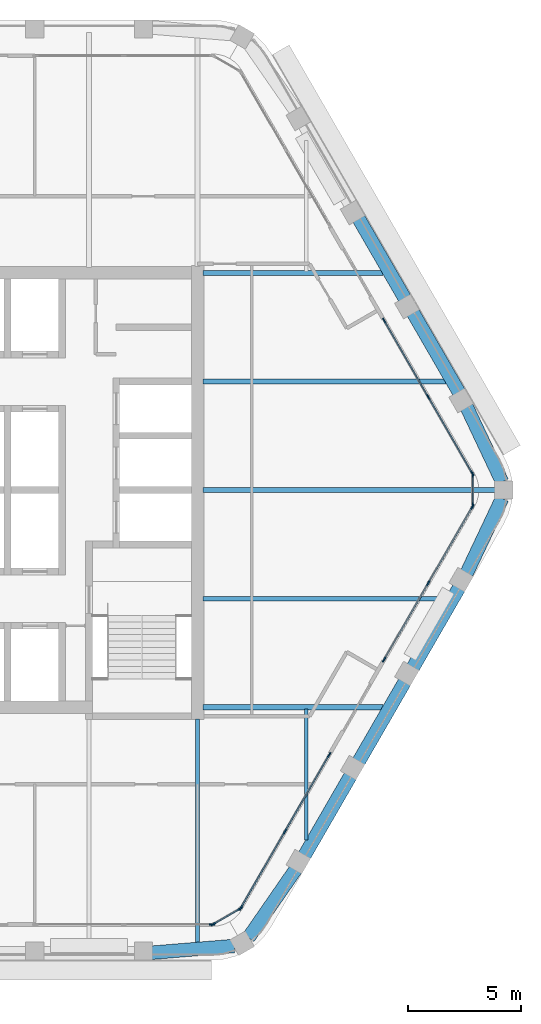
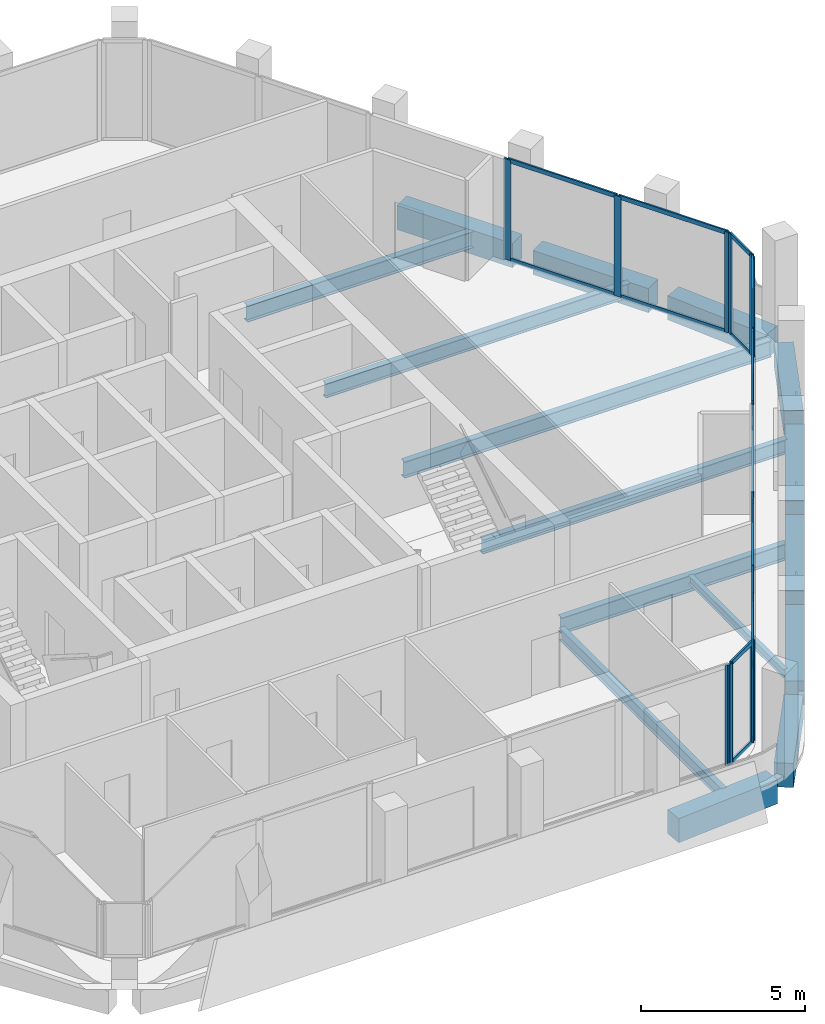
# One storey, part 4 of 13: 30 members, 16 beams, 6 elements without a shape of their own.
"""IFC4 building model written with IfcOpenShell, lengths in metres."""

from ifc_helpers import new_model, si_unit, direction, frame, origin, origin_2d, place, context, subcontext, project, spatial, rectangle, i_section, extrude, material, material_profile, profile_set, type_object, element, aggregate, save


model = new_model("IFC4")

# Units and contexts
model_context = context("Model", 3, precision=1e-05, world=origin(), true_north=direction((0.0, 1.0)))
body_context = subcontext(model_context, "Body", "Model", "MODEL_VIEW")
ifc_project = project(units=[si_unit("LENGTHUNIT", "METRE"), si_unit("AREAUNIT", "SQUARE_METRE"), si_unit("VOLUMEUNIT", "CUBIC_METRE"), si_unit("PLANEANGLEUNIT", "RADIAN"), si_unit("MASSUNIT", "GRAM", prefix="KILO")], contexts=[model_context])

# Site, building, storey
site_placement = place(None, origin())
site = spatial("IfcSite", under=ifc_project, at=site_placement, CompositionType="ELEMENT")
building_placement = place(site_placement, origin())
building = spatial("IfcBuilding", under=site, at=building_placement, Name="Kolab Exchange Tower", CompositionType="ELEMENT")
storey_placement = place(building_placement, frame((0.0, 0.0, 273.5)))
storey = spatial("IfcBuildingStorey", under=building, at=storey_placement, Name="L61", CompositionType="ELEMENT", Elevation=273.5)

# Beams
ifc_material_1 = material(Name="Steel S355", Category="steel")
ifc_material_profile_1 = material_profile(ifc_material_1, i_section(OverallWidth=0.1650390625, OverallDepth=0.31005859375, WebThickness=0.005859375, FlangeThickness=0.009765625, at=origin_2d()), Name="W310X39")
ifc_profile_set_1 = profile_set([ifc_material_profile_1], Name="Steel S355")
beam_type_1 = type_object("IfcBeamType", Name="FLOOR BEAM W310X39", PredefinedType="BEAM", material=ifc_profile_set_1)
beam_1_placement = place(storey_placement, frame((14.39990234375, -15.4677734375, -0.304931640625), z_axis=(0.0, 1.0, 0.0), x_axis=(-1.0, 0.0, 0.0)))
element("IfcBeam", 1, at=beam_1_placement, inside=storey, type_object=beam_type_1, Name="beam/L61/fr/018", PredefinedType="BEAM", context=body_context, shape_type="SweptSolid", body=[
    extrude(i_section(OverallWidth=0.1650390625, OverallDepth=0.31005859375, WebThickness=0.005859375, FlangeThickness=0.009765625, at=origin_2d()), origin(), (0.0, 0.0, 1.0), 5.793701171875),
])
ifc_material_profile_2 = material_profile(ifc_material_1, i_section(OverallWidth=0.18994140625, OverallDepth=0.45703125, WebThickness=0.009033203125, FlangeThickness=0.014404296875, at=origin_2d()), Name="W460X74")
ifc_profile_set_2 = profile_set([ifc_material_profile_2], Name="Steel S355")
beam_type_2 = type_object("IfcBeamType", Name="FLOOR BEAM W460X74", PredefinedType="BEAM", material=ifc_profile_set_2)
beam_2_placement = place(storey_placement, frame((9.60009765625, -20.027099609375, -0.37841796875), z_axis=(0.0, 1.0, 0.0), x_axis=(-1.0, 0.0, 0.0)))
element("IfcBeam", 2, at=beam_2_placement, inside=storey, type_object=beam_type_2, Name="beam/L61/fr/013", PredefinedType="BEAM", context=body_context, shape_type="SweptSolid", body=[
    extrude(i_section(OverallWidth=0.18994140625, OverallDepth=0.45703125, WebThickness=0.009033203125, FlangeThickness=0.014404296875, at=origin_2d()), origin(), (0.0, 0.0, 1.0), 9.9169921875),
])
ifc_material_profile_3 = material_profile(ifc_material_1, i_section(OverallWidth=0.208984375, OverallDepth=0.532958984375, WebThickness=0.01025390625, FlangeThickness=0.015625, at=origin_2d()), Name="W530X92")
ifc_profile_set_3 = profile_set([ifc_material_profile_3], Name="Steel S355")
beam_type_3 = type_object("IfcBeamType", Name="FLOOR BEAM W530X92", PredefinedType="BEAM", material=ifc_profile_set_3)
for number, where, z_axis, x_axis, name in (
    (3, (9.8349609375, -4.800048828125, -0.41650390625), (1.0, 0.0, 0.0), (0.0, 1.0, 0.0), "beam/L61/fr/015"),
    (4, (9.8349609375, 4.800048828125, -0.41650390625), (1.0, 0.0, 0.0), (0.0, 1.0, 0.0), "beam/L61/fr/017"),
):
    element("IfcBeam", number, at=place(storey_placement, frame(where, z_axis=z_axis, x_axis=x_axis)), inside=storey, type_object=beam_type_3, Name=name, PredefinedType="BEAM", context=body_context, shape_type="SweptSolid", body=[
        extrude(i_section(OverallWidth=0.208984375, OverallDepth=0.532958984375, WebThickness=0.01025390625, FlangeThickness=0.015625, at=origin_2d()), origin(), (0.0, 0.0, 1.0), 10.740966796875),
    ])
ifc_material_profile_4 = material_profile(ifc_material_1, i_section(OverallWidth=0.22802734375, OverallDepth=0.60791015625, WebThickness=0.01123046875, FlangeThickness=0.017333984375, at=origin_2d()), Name="W610X113")
ifc_profile_set_4 = profile_set([ifc_material_profile_4], Name="Steel S355")
beam_type_4 = type_object("IfcBeamType", Name="FLOOR BEAM W610X113", PredefinedType="BEAM", material=ifc_profile_set_4)
beam_3_placement = place(storey_placement, frame((9.8349609375, 0.0, -0.4541015625), z_axis=(1.0, 0.0, 0.0), x_axis=(0.0, 1.0, 0.0)))
element("IfcBeam", 5, at=beam_3_placement, inside=storey, type_object=beam_type_4, Name="beam/L61/fr/016", PredefinedType="BEAM", context=body_context, shape_type="SweptSolid", body=[
    extrude(i_section(OverallWidth=0.22802734375, OverallDepth=0.60791015625, WebThickness=0.01123046875, FlangeThickness=0.017333984375, at=origin_2d()), origin(), (0.0, 0.0, 1.0), 12.94091796875),
])
ifc_material_profile_5 = material_profile(ifc_material_1, i_section(OverallWidth=0.22802734375, OverallDepth=0.60791015625, WebThickness=0.01123046875, FlangeThickness=0.017333984375, at=origin_2d()), Name="W610X113")
ifc_profile_set_5 = profile_set([ifc_material_profile_5], Name="Steel S355")
beam_type_5 = type_object("IfcBeamType", Name="FLOOR GIRDER W610X113", PredefinedType="BEAM", material=ifc_profile_set_5)
for number, where, z_axis, x_axis, name in (
    (6, (9.8349609375, -9.60009765625, -0.4541015625), (1.0, 0.0, 0.0), (0.0, 1.0, 0.0), "beam/L61/gd/002"),
    (7, (9.8349609375, 9.60009765625, -0.4541015625), (1.0, 0.0, 0.0), (0.0, 1.0, 0.0), "beam/L61/gd/003"),
):
    element("IfcBeam", number, at=place(storey_placement, frame(where, z_axis=z_axis, x_axis=x_axis)), inside=storey, type_object=beam_type_5, Name=name, PredefinedType="BEAM", context=body_context, shape_type="SweptSolid", body=[
        extrude(i_section(OverallWidth=0.22802734375, OverallDepth=0.60791015625, WebThickness=0.01123046875, FlangeThickness=0.017333984375, at=origin_2d()), origin(), (0.0, 0.0, 1.0), 7.9697265625),
    ])
ifc_material_2 = material(Name="Concrete C50/60", Category="concrete")
ifc_material_profile_6 = material_profile(ifc_material_2, rectangle(XDim=0.60009765625, YDim=0.89990234375, at=origin_2d()), Name="RC600X900")
ifc_profile_set_6 = profile_set([ifc_material_profile_6], Name="Concrete C50/60")
beam_type_6 = type_object("IfcBeamType", Name="SPANDREL BEAM 600X900 C50/60", PredefinedType="BEAM", material=ifc_profile_set_6)
for number, where, z_axis, x_axis, name in (
    (8, (16.72021484375, 12.009033203125, -0.60009765625), (0.500000428765, -0.866025156237, 0.0), (0.866025156237, 0.500000428765, 0.0), "beam/L61/sp/F2-03"),
    (9, (19.1201171875, 7.85205078125, -0.60009765625), (0.500000428765, -0.866025156237, 0.0), (0.866025156237, 0.500000428765, 0.0), "beam/L61/sp/F2-04"),
):
    element("IfcBeam", number, at=place(storey_placement, frame(where, z_axis=z_axis, x_axis=x_axis)), inside=storey, type_object=beam_type_6, Name=name, PredefinedType="BEAM", context=body_context, shape_type="SweptSolid", body=[
        extrude(rectangle(XDim=0.60009765625, YDim=0.89990234375, at=origin_2d()), origin(), (0.0, 0.0, 1.0), 4.080078125),
    ])
for number, where, z_axis, x_axis, name in (
    (10, (21.49462890625, 3.68017578125, -0.60009765625), (0.427677251998, -0.903931506323, 0.0), (0.903931506323, 0.427677251998, 0.0), "beam/L61/sp/F2-05"),
    (11, (23.063720703125, -0.36376953125, -0.60009765625), (-0.427677251998, -0.903931506323, 0.0), (0.903931506323, -0.427677251998, 0.0), "beam/L61/sp/F3-01"),
):
    element("IfcBeam", number, at=place(storey_placement, frame(where, z_axis=z_axis, x_axis=x_axis)), inside=storey, type_object=beam_type_6, Name=name, PredefinedType="BEAM", context=body_context, shape_type="SweptSolid", body=[
        extrude(rectangle(XDim=0.60009765625, YDim=0.89990234375, at=origin_2d()), origin(), (0.0, 0.0, 1.0), 3.6689453125),
    ])
for number, where, z_axis, x_axis, name in (
    (12, (21.16015625, -4.318603515625, -0.60009765625), (-0.500000428765, -0.866025156237, 0.0), (0.866025156237, -0.500000428765, 0.0), "beam/L61/sp/F3-02"),
    (13, (18.76025390625, -8.4755859375, -0.60009765625), (-0.500000428765, -0.866025156237, 0.0), (0.866025156237, -0.500000428765, 0.0), "beam/L61/sp/F3-03"),
):
    element("IfcBeam", number, at=place(storey_placement, frame(where, z_axis=z_axis, x_axis=x_axis)), inside=storey, type_object=beam_type_6, Name=name, PredefinedType="BEAM", context=body_context, shape_type="SweptSolid", body=[
        extrude(rectangle(XDim=0.60009765625, YDim=0.89990234375, at=origin_2d()), origin(), (0.0, 0.0, 1.0), 4.080078125),
    ])
beam_4_placement = place(storey_placement, frame((16.360107421875, -12.632568359375, -0.60009765625), z_axis=(-0.499955548806, -0.866051066172, 0.0), x_axis=(0.866051066172, -0.499955548806, 0.0)))
element("IfcBeam", 14, at=beam_4_placement, inside=storey, type_object=beam_type_6, Name="beam/L61/sp/F3-04", PredefinedType="BEAM", context=body_context, shape_type="SweptSolid", body=[
    extrude(rectangle(XDim=0.60009765625, YDim=0.89990234375, at=origin_2d()), origin(), (0.0, 0.0, 1.0), 4.079833984375),
])
for number, where, z_axis, x_axis, name in (
    (15, (13.9345703125, -16.77490234375, -0.60009765625), (-0.569005808573, -0.822333502789, 0.0), (0.822333502789, -0.569005808573, 0.0), "beam/L61/sp/F3-05"),
    (16, (11.216796875, -20.15576171875, -0.60009765625), (-0.996666751878, -0.081580547323, 0.0), (0.081580547323, -0.996666751878, 0.0), "beam/L61/sp/F4-01"),
):
    element("IfcBeam", number, at=place(storey_placement, frame(where, z_axis=z_axis, x_axis=x_axis)), inside=storey, type_object=beam_type_6, Name=name, PredefinedType="BEAM", context=body_context, shape_type="SweptSolid", body=[
        extrude(rectangle(XDim=0.60009765625, YDim=0.89990234375, at=origin_2d()), origin(), (0.0, 0.0, 1.0), 3.6689453125),
    ])

# Curtain wall, members
ifc_material_3 = material(Name="Aluminium EN AW-6063 T6", Category="aluminium")
curtain_wall_type = type_object("IfcCurtainWallType", Name="UNITISED HIGH ZONE CURTAIN WALL", PredefinedType="NOTDEFINED", material=ifc_material_3)
curtain_wall_1_placement = place(storey_placement, origin())
curtain_wall_1 = element("IfcCurtainWall", 17, at=curtain_wall_1_placement, inside=storey, type_object=curtain_wall_type, Name="cw/L61/F2-2", PredefinedType="NOTDEFINED")
ifc_material_profile_7 = material_profile(ifc_material_3, rectangle(XDim=0.06005859375, YDim=0.239990234375, at=origin_2d()), Name="RECT 60X240")
ifc_profile_set_7 = profile_set([ifc_material_profile_7], Name="Aluminium EN AW-6063 T6")
member_type_1 = type_object("IfcMemberType", Name="UNITISED HIGH ZONE MULLION 60 X 240", PredefinedType="MULLION", material=ifc_profile_set_7)
member_1_placement = place(storey_placement, frame((17.8466796875, 7.497802734375, 0.0), z_axis=(0.0, 0.0, 1.0), x_axis=(0.866025440524, 0.499999936366, 0.0)))
member_1 = element("IfcMember", 18, at=member_1_placement, type_object=member_type_1, Name="CW4 mullion 1", PredefinedType="MULLION", context=body_context, shape_type="SweptSolid", body=[
    extrude(rectangle(XDim=0.06005859375, YDim=0.239990234375, at=origin_2d()), origin(), (0.0, 0.0, 1.0), 3.75),
])
member_2_placement = place(storey_placement, frame((19.798583984375, 4.116943359375, 0.0), z_axis=(0.0, 0.0, 1.0), x_axis=(0.866025440524, 0.499999936366, 0.0)))
member_2 = element("IfcMember", 19, at=member_2_placement, type_object=member_type_1, Name="CW4 mullion 2", PredefinedType="MULLION", context=body_context, shape_type="SweptSolid", body=[
    extrude(rectangle(XDim=0.06005859375, YDim=0.239990234375, at=origin_2d()), origin(), (0.0, 0.0, 1.0), 3.75),
])
member_3_placement = place(storey_placement, frame((21.750732421875, 0.736083984375, 0.0), z_axis=(0.0, 0.0, 1.0), x_axis=(0.866025440524, 0.499999936366, 0.0)))
member_3 = element("IfcMember", 20, at=member_3_placement, type_object=member_type_1, Name="CW4 mullion 3", PredefinedType="MULLION", context=body_context, shape_type="SweptSolid", body=[
    extrude(rectangle(XDim=0.06005859375, YDim=0.239990234375, at=origin_2d()), origin(), (0.0, 0.0, 1.0), 3.75),
])

curtain_wall_2_placement = place(storey_placement, origin())
curtain_wall_2 = element("IfcCurtainWall", 21, at=curtain_wall_2_placement, inside=storey, type_object=curtain_wall_type, Name="cw/L61/F3-1", PredefinedType="NOTDEFINED")
member_4_placement = place(storey_placement, frame((21.750732421875, -0.736083984375, 0.0), z_axis=(0.0, 0.0, 1.0), x_axis=(0.866025440524, -0.499999936366, 0.0)))
member_4 = element("IfcMember", 22, at=member_4_placement, type_object=member_type_1, Name="CW4 mullion 1", PredefinedType="MULLION", context=body_context, shape_type="SweptSolid", body=[
    extrude(rectangle(XDim=0.06005859375, YDim=0.239990234375, at=origin_2d()), origin(), (0.0, 0.0, 1.0), 3.75),
])
member_5_placement = place(storey_placement, frame((19.798583984375, -4.116943359375, 0.0), z_axis=(0.0, 0.0, 1.0), x_axis=(0.866025440524, -0.499999936366, 0.0)))
member_5 = element("IfcMember", 23, at=member_5_placement, type_object=member_type_1, Name="CW4 mullion 2", PredefinedType="MULLION", context=body_context, shape_type="SweptSolid", body=[
    extrude(rectangle(XDim=0.06005859375, YDim=0.239990234375, at=origin_2d()), origin(), (0.0, 0.0, 1.0), 3.75),
])
member_6_placement = place(storey_placement, frame((17.8466796875, -7.497802734375, 0.0), z_axis=(0.0, 0.0, 1.0), x_axis=(0.866025440524, -0.499999936366, 0.0)))
member_6 = element("IfcMember", 24, at=member_6_placement, type_object=member_type_1, Name="CW4 mullion 3", PredefinedType="MULLION", context=body_context, shape_type="SweptSolid", body=[
    extrude(rectangle(XDim=0.06005859375, YDim=0.239990234375, at=origin_2d()), origin(), (0.0, 0.0, 1.0), 3.75),
])

curtain_wall_3_placement = place(storey_placement, origin())
curtain_wall_3 = element("IfcCurtainWall", 25, at=curtain_wall_3_placement, inside=storey, type_object=curtain_wall_type, Name="cw/L61/F3-2", PredefinedType="NOTDEFINED")
member_7_placement = place(storey_placement, frame((15.416748046875, -11.706787109375, 0.0), z_axis=(0.0, 0.0, 1.0), x_axis=(0.866025385493, -0.500000031681, 0.0)))
member_7 = element("IfcMember", 26, at=member_7_placement, type_object=member_type_1, Name="CW4 mullion 1", PredefinedType="MULLION", context=body_context, shape_type="SweptSolid", body=[
    extrude(rectangle(XDim=0.06005859375, YDim=0.239990234375, at=origin_2d()), origin(), (0.0, 0.0, 1.0), 3.75),
])
member_8_placement = place(storey_placement, frame((13.464599609375, -15.087646484375, 0.0), z_axis=(0.0, 0.0, 1.0), x_axis=(0.866025385493, -0.500000031681, 0.0)))
member_8 = element("IfcMember", 27, at=member_8_placement, type_object=member_type_1, Name="CW4 mullion 2", PredefinedType="MULLION", context=body_context, shape_type="SweptSolid", body=[
    extrude(rectangle(XDim=0.06005859375, YDim=0.239990234375, at=origin_2d()), origin(), (0.0, 0.0, 1.0), 3.75),
])
member_9_placement = place(storey_placement, frame((11.5126953125, -18.46875, 0.0), z_axis=(0.0, 0.0, 1.0), x_axis=(0.866025385493, -0.500000031681, 0.0)))
member_9 = element("IfcMember", 28, at=member_9_placement, type_object=member_type_1, Name="CW4 mullion 3", PredefinedType="MULLION", context=body_context, shape_type="SweptSolid", body=[
    extrude(rectangle(XDim=0.06005859375, YDim=0.239990234375, at=origin_2d()), origin(), (0.0, 0.0, 1.0), 3.75),
])

# Curtain wall, member
curtain_wall_4_placement = place(storey_placement, origin())
curtain_wall_4 = element("IfcCurtainWall", 29, at=curtain_wall_4_placement, inside=storey, type_object=curtain_wall_type, Name="cw/L61/F4-1", PredefinedType="NOTDEFINED")
member_10_placement = place(storey_placement, frame((10.238037109375, -19.20458984375, 0.0), z_axis=(0.0, 0.0, 1.0), x_axis=(0.0, -1.0, 0.0)))
member_10 = element("IfcMember", 30, at=member_10_placement, type_object=member_type_1, Name="CW4 mullion 1", PredefinedType="MULLION", context=body_context, shape_type="SweptSolid", body=[
    extrude(rectangle(XDim=0.06005859375, YDim=0.239990234375, at=origin_2d()), origin(), (0.0, 0.0, 1.0), 3.75),
])
aggregate(curtain_wall_4, [member_10])

# Curtain wall, members
curtain_wall_5_placement = place(storey_placement, origin())
curtain_wall_5 = element("IfcCurtainWall", 31, at=curtain_wall_5_placement, inside=storey, type_object=curtain_wall_type, Name="cw/L61/F2F3-corner", PredefinedType="NOTDEFINED")
member_11_placement = place(storey_placement, frame((21.765625, 0.679931640625, 0.0), z_axis=(0.0, 0.0, 1.0), x_axis=(1.0, 0.0, 0.0)))
member_11 = element("IfcMember", 32, at=member_11_placement, type_object=member_type_1, Name="CW4 mullion 1", PredefinedType="MULLION", context=body_context, shape_type="SweptSolid", body=[
    extrude(rectangle(XDim=0.06005859375, YDim=0.239990234375, at=origin_2d()), origin(), (0.0, 0.0, 1.0), 3.75),
])
member_12_placement = place(storey_placement, frame((21.765625, -0.679931640625, 0.0), z_axis=(0.0, 0.0, 1.0), x_axis=(1.0, 0.0, 0.0)))
member_12 = element("IfcMember", 33, at=member_12_placement, type_object=member_type_1, Name="CW4 mullion 2", PredefinedType="MULLION", context=body_context, shape_type="SweptSolid", body=[
    extrude(rectangle(XDim=0.06005859375, YDim=0.239990234375, at=origin_2d()), origin(), (0.0, 0.0, 1.0), 3.75),
])

curtain_wall_6_placement = place(storey_placement, origin())
curtain_wall_6 = element("IfcCurtainWall", 34, at=curtain_wall_6_placement, inside=storey, type_object=curtain_wall_type, Name="cw/L61/F3F4-corner", PredefinedType="NOTDEFINED")
member_13_placement = place(storey_placement, frame((11.4716796875, -18.509521484375, 0.0), z_axis=(0.0, 0.0, 1.0), x_axis=(0.50000002237, -0.866025390869, 0.0)))
member_13 = element("IfcMember", 35, at=member_13_placement, type_object=member_type_1, Name="CW4 mullion 1", PredefinedType="MULLION", context=body_context, shape_type="SweptSolid", body=[
    extrude(rectangle(XDim=0.06005859375, YDim=0.239990234375, at=origin_2d()), origin(), (0.0, 0.0, 1.0), 3.75),
])
member_14_placement = place(storey_placement, frame((10.2939453125, -19.189697265625, 0.0), z_axis=(0.0, 0.0, 1.0), x_axis=(0.50000002237, -0.866025390869, 0.0)))
member_14 = element("IfcMember", 36, at=member_14_placement, type_object=member_type_1, Name="CW4 mullion 2", PredefinedType="MULLION", context=body_context, shape_type="SweptSolid", body=[
    extrude(rectangle(XDim=0.06005859375, YDim=0.239990234375, at=origin_2d()), origin(), (0.0, 0.0, 1.0), 3.75),
])

# Member
ifc_material_profile_8 = material_profile(ifc_material_3, rectangle(XDim=0.06005859375, YDim=0.159912109375, at=origin_2d()), Name="RECT 60X160")
ifc_profile_set_8 = profile_set([ifc_material_profile_8], Name="Aluminium EN AW-6063 T6")
member_type_2 = type_object("IfcMemberType", Name="UNITISED HIGH ZONE TRANSOM 60 X 160", PredefinedType="USERDEFINED", material=ifc_profile_set_8)
member_15_placement = place(storey_placement, frame((17.861572265625, 7.471923828125, 0.030029296875), z_axis=(0.500011990396, -0.866018481016, 0.0), x_axis=(0.866018481016, 0.500011990396, 0.0)))
member_15 = element("IfcMember", 37, at=member_15_placement, type_object=member_type_2, Name="CW4 transom 1.1", ObjectType="TRANSOM", PredefinedType="USERDEFINED", context=body_context, shape_type="SweptSolid", body=[
    extrude(rectangle(XDim=0.06005859375, YDim=0.159912109375, at=origin_2d()), origin(), (0.0, 0.0, 1.0), 3.84423828125),
])

member_16_placement = place(storey_placement, frame((17.861572265625, 7.471923828125, 3.719970703125), z_axis=(0.500011990396, -0.866018481016, 0.0), x_axis=(0.866018481016, 0.500011990396, 0.0)))
member_16 = element("IfcMember", 38, at=member_16_placement, type_object=member_type_2, Name="CW4 transom 1.2", ObjectType="TRANSOM", PredefinedType="USERDEFINED", context=body_context, shape_type="SweptSolid", body=[
    extrude(rectangle(XDim=0.06005859375, YDim=0.159912109375, at=origin_2d()), origin(), (0.0, 0.0, 1.0), 3.84423828125),
])

member_17_placement = place(storey_placement, frame((19.813720703125, 4.0908203125, 0.030029296875), z_axis=(0.499991857942, -0.866030104553, 0.0), x_axis=(0.866030104553, 0.499991857942, 0.0)))
member_17 = element("IfcMember", 39, at=member_17_placement, type_object=member_type_2, Name="CW4 transom 2.1", ObjectType="TRANSOM", PredefinedType="USERDEFINED", context=body_context, shape_type="SweptSolid", body=[
    extrude(rectangle(XDim=0.06005859375, YDim=0.159912109375, at=origin_2d()), origin(), (0.0, 0.0, 1.0), 3.84375),
])

member_18_placement = place(storey_placement, frame((19.813720703125, 4.0908203125, 3.719970703125), z_axis=(0.499991857942, -0.866030104553, 0.0), x_axis=(0.866030104553, 0.499991857942, 0.0)))
member_18 = element("IfcMember", 40, at=member_18_placement, type_object=member_type_2, Name="CW4 transom 2.2", ObjectType="TRANSOM", PredefinedType="USERDEFINED", context=body_context, shape_type="SweptSolid", body=[
    extrude(rectangle(XDim=0.06005859375, YDim=0.159912109375, at=origin_2d()), origin(), (0.0, 0.0, 1.0), 3.84375),
])

aggregate(curtain_wall_1, [member_1, member_2, member_3, member_15, member_16, member_17, member_18])

member_19_placement = place(storey_placement, frame((21.735595703125, -0.761962890625, 0.030029296875), z_axis=(-0.499991857942, -0.866030104553, 0.0), x_axis=(0.866030104553, -0.499991857942, 0.0)))
member_19 = element("IfcMember", 41, at=member_19_placement, type_object=member_type_2, Name="CW4 transom 1.1", ObjectType="TRANSOM", PredefinedType="USERDEFINED", context=body_context, shape_type="SweptSolid", body=[
    extrude(rectangle(XDim=0.06005859375, YDim=0.159912109375, at=origin_2d()), origin(), (0.0, 0.0, 1.0), 3.84375),
])

member_20_placement = place(storey_placement, frame((21.735595703125, -0.761962890625, 3.719970703125), z_axis=(-0.499991857942, -0.866030104553, 0.0), x_axis=(0.866030104553, -0.499991857942, 0.0)))
member_20 = element("IfcMember", 42, at=member_20_placement, type_object=member_type_2, Name="CW4 transom 1.2", ObjectType="TRANSOM", PredefinedType="USERDEFINED", context=body_context, shape_type="SweptSolid", body=[
    extrude(rectangle(XDim=0.06005859375, YDim=0.159912109375, at=origin_2d()), origin(), (0.0, 0.0, 1.0), 3.84375),
])

member_21_placement = place(storey_placement, frame((19.78369140625, -4.142822265625, 0.030029296875), z_axis=(-0.500011990396, -0.866018481016, 0.0), x_axis=(0.866018481016, -0.500011990396, 0.0)))
member_21 = element("IfcMember", 43, at=member_21_placement, type_object=member_type_2, Name="CW4 transom 2.1", ObjectType="TRANSOM", PredefinedType="USERDEFINED", context=body_context, shape_type="SweptSolid", body=[
    extrude(rectangle(XDim=0.06005859375, YDim=0.159912109375, at=origin_2d()), origin(), (0.0, 0.0, 1.0), 3.84423828125),
])

member_22_placement = place(storey_placement, frame((19.78369140625, -4.142822265625, 3.719970703125), z_axis=(-0.500011990396, -0.866018481016, 0.0), x_axis=(0.866018481016, -0.500011990396, 0.0)))
member_22 = element("IfcMember", 44, at=member_22_placement, type_object=member_type_2, Name="CW4 transom 2.2", ObjectType="TRANSOM", PredefinedType="USERDEFINED", context=body_context, shape_type="SweptSolid", body=[
    extrude(rectangle(XDim=0.06005859375, YDim=0.159912109375, at=origin_2d()), origin(), (0.0, 0.0, 1.0), 3.84423828125),
])

aggregate(curtain_wall_2, [member_4, member_5, member_6, member_19, member_20, member_21, member_22])

member_23_placement = place(storey_placement, frame((15.401611328125, -11.732666015625, 0.030029296875), z_axis=(-0.499964356602, -0.866045981532, 0.0), x_axis=(0.866045981532, -0.499964356602, 0.0)))
member_23 = element("IfcMember", 45, at=member_23_placement, type_object=member_type_2, Name="CW4 transom 1.1", ObjectType="TRANSOM", PredefinedType="USERDEFINED", context=body_context, shape_type="SweptSolid", body=[
    extrude(rectangle(XDim=0.06005859375, YDim=0.159912109375, at=origin_2d()), origin(), (0.0, 0.0, 1.0), 3.843994140625),
])

member_24_placement = place(storey_placement, frame((15.401611328125, -11.732666015625, 3.719970703125), z_axis=(-0.499964356602, -0.866045981532, 0.0), x_axis=(0.866045981532, -0.499964356602, 0.0)))
member_24 = element("IfcMember", 46, at=member_24_placement, type_object=member_type_2, Name="CW4 transom 1.2", ObjectType="TRANSOM", PredefinedType="USERDEFINED", context=body_context, shape_type="SweptSolid", body=[
    extrude(rectangle(XDim=0.06005859375, YDim=0.159912109375, at=origin_2d()), origin(), (0.0, 0.0, 1.0), 3.843994140625),
])

member_25_placement = place(storey_placement, frame((13.44970703125, -15.11376953125, 0.030029296875), z_axis=(-0.500039492609, -0.866002601515, 0.0), x_axis=(0.866002601515, -0.500039492609, 0.0)))
member_25 = element("IfcMember", 47, at=member_25_placement, type_object=member_type_2, Name="CW4 transom 2.1", ObjectType="TRANSOM", PredefinedType="USERDEFINED", context=body_context, shape_type="SweptSolid", body=[
    extrude(rectangle(XDim=0.06005859375, YDim=0.159912109375, at=origin_2d()), origin(), (0.0, 0.0, 1.0), 3.843994140625),
])

member_26_placement = place(storey_placement, frame((13.44970703125, -15.11376953125, 3.719970703125), z_axis=(-0.500039492609, -0.866002601515, 0.0), x_axis=(0.866002601515, -0.500039492609, 0.0)))
member_26 = element("IfcMember", 48, at=member_26_placement, type_object=member_type_2, Name="CW4 transom 2.2", ObjectType="TRANSOM", PredefinedType="USERDEFINED", context=body_context, shape_type="SweptSolid", body=[
    extrude(rectangle(XDim=0.06005859375, YDim=0.159912109375, at=origin_2d()), origin(), (0.0, 0.0, 1.0), 3.843994140625),
])

aggregate(curtain_wall_3, [member_7, member_8, member_9, member_23, member_24, member_25, member_26])

member_27_placement = place(storey_placement, frame((21.765625, 0.64990234375, 0.030029296875), z_axis=(0.0, -1.0, 0.0), x_axis=(1.0, 0.0, 0.0)))
member_27 = element("IfcMember", 49, at=member_27_placement, type_object=member_type_2, Name="CW4 transom 1.1", ObjectType="TRANSOM", PredefinedType="USERDEFINED", context=body_context, shape_type="SweptSolid", body=[
    extrude(rectangle(XDim=0.06005859375, YDim=0.159912109375, at=origin_2d()), origin(), (0.0, 0.0, 1.0), 1.2998046875),
])

member_28_placement = place(storey_placement, frame((21.765625, 0.64990234375, 3.719970703125), z_axis=(0.0, -1.0, 0.0), x_axis=(1.0, 0.0, 0.0)))
member_28 = element("IfcMember", 50, at=member_28_placement, type_object=member_type_2, Name="CW4 transom 1.2", ObjectType="TRANSOM", PredefinedType="USERDEFINED", context=body_context, shape_type="SweptSolid", body=[
    extrude(rectangle(XDim=0.06005859375, YDim=0.159912109375, at=origin_2d()), origin(), (0.0, 0.0, 1.0), 1.2998046875),
])

aggregate(curtain_wall_5, [member_11, member_12, member_27, member_28])

member_29_placement = place(storey_placement, frame((11.44580078125, -18.524658203125, 0.030029296875), z_axis=(-0.866085525409, -0.49989585183, 0.0), x_axis=(0.49989585183, -0.866085525409, 0.0)))
member_29 = element("IfcMember", 51, at=member_29_placement, type_object=member_type_2, Name="CW4 transom 1.1", ObjectType="TRANSOM", PredefinedType="USERDEFINED", context=body_context, shape_type="SweptSolid", body=[
    extrude(rectangle(XDim=0.06005859375, YDim=0.159912109375, at=origin_2d()), origin(), (0.0, 0.0, 1.0), 1.300048828125),
])

member_30_placement = place(storey_placement, frame((11.44580078125, -18.524658203125, 3.719970703125), z_axis=(-0.866085525409, -0.49989585183, 0.0), x_axis=(0.49989585183, -0.866085525409, 0.0)))
member_30 = element("IfcMember", 52, at=member_30_placement, type_object=member_type_2, Name="CW4 transom 1.2", ObjectType="TRANSOM", PredefinedType="USERDEFINED", context=body_context, shape_type="SweptSolid", body=[
    extrude(rectangle(XDim=0.06005859375, YDim=0.159912109375, at=origin_2d()), origin(), (0.0, 0.0, 1.0), 1.300048828125),
])

aggregate(curtain_wall_6, [member_13, member_14, member_29, member_30])

save(model, "model.ifc")
